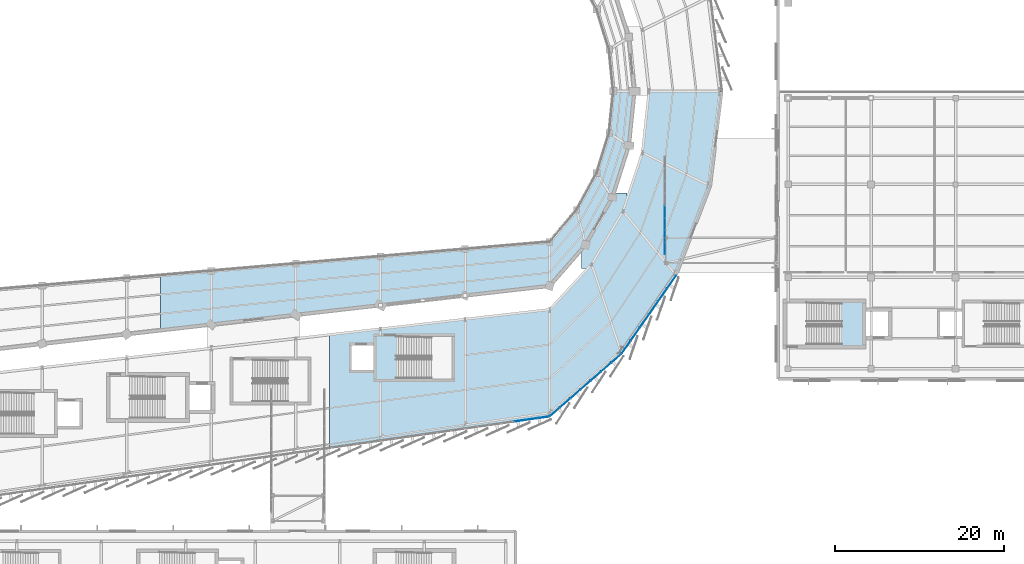
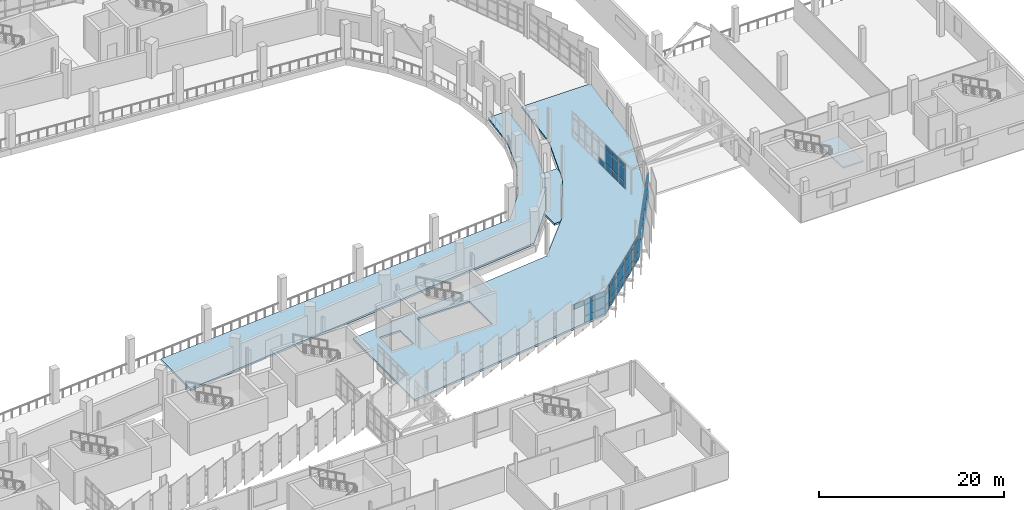
# One storey, part 93 of 125: 56 plates, 4 slabs, 5 elements without a shape of their own.
"""IFC4 building model written with IfcOpenShell, lengths in metres."""

from ifc_helpers import new_model, si_unit, direction, frame, origin, origin_2d, place, context, subcontext, project, spatial, polyline, rectangle, outline, extrude, material, layer, layer_set, type_object, element, aggregate, save


model = new_model("IFC4")

# Units and contexts
model_context = context("Model", 3, precision=1e-05, world=origin(), true_north=direction((0.0, 1.0)))
body_context = subcontext(model_context, "Body", "Model", "MODEL_VIEW")
ifc_project = project(units=[si_unit("LENGTHUNIT", "METRE"), si_unit("AREAUNIT", "SQUARE_METRE"), si_unit("VOLUMEUNIT", "CUBIC_METRE"), si_unit("PLANEANGLEUNIT", "RADIAN"), si_unit("MASSUNIT", "GRAM", prefix="KILO")], contexts=[model_context])

# Site, building, storey
site_placement = place(None, origin())
site = spatial("IfcSite", under=ifc_project, at=site_placement, CompositionType="ELEMENT")
building_placement = place(site_placement, origin())
building = spatial("IfcBuilding", under=site, at=building_placement, Name="Sohan Crest Arena", CompositionType="ELEMENT")
storey_placement = place(building_placement, frame((0.0, 0.0, 9.0)))
storey = spatial("IfcBuildingStorey", under=building, at=storey_placement, Name="L02", CompositionType="ELEMENT", Elevation=9.0)

# Curtain wall, plates
ifc_material_1 = material(Name="Thermally broken anodised aluminium", Category="aluminium")
ifc_layer_1 = layer(ifc_material_1, 0.219970703125, Name="Thermally broken anodised aluminium")
ifc_layer_set_1 = layer_set([ifc_layer_1], Name="Thermally broken anodised aluminium")
curtain_wall_type_1 = type_object("IfcCurtainWallType", Name="ARC-CW03", PredefinedType="NOTDEFINED", material=ifc_layer_set_1)
curtain_wall_1_placement = place(storey_placement, origin())
curtain_wall_1 = element("IfcCurtainWall", 1, at=curtain_wall_1_placement, inside=storey, type_object=curtain_wall_type_1, Name="Unitised curtain wall CW-068", PredefinedType="NOTDEFINED")
ifc_material_2 = material(Name="Low-E double-glazed insulated glass", Category="glass")
ifc_layer_2 = layer(ifc_material_2, 0.028076171875, Name="Low-E double-glazed insulated glass")
ifc_layer_set_2 = layer_set([ifc_layer_2], Name="Low-E double-glazed insulated glass")
plate_type_1 = type_object("IfcPlateType", Name="ARC-CNP01", PredefinedType="CURTAIN_PANEL", material=ifc_layer_set_2)
plate_1_placement = place(storey_placement, frame((177.057373046875, 47.76123046875, 0.070068359375), z_axis=(0.0, 0.0, 1.0), x_axis=(0.572428059971, 0.819954947639, 0.0)))
plate_1 = element("IfcPlate", 2, at=plate_1_placement, type_object=plate_type_1, Name="CW-068 panel 1.1", PredefinedType="CURTAIN_PANEL", context=body_context, shape_type="SweptSolid", body=[
    extrude(rectangle(XDim=1.792724609375, YDim=0.028076171875, at=origin_2d()), origin(), (0.0, 0.0, 1.0), 0.794921875),
])
plate_2_placement = place(storey_placement, frame((177.057373046875, 47.76123046875, 0.93505859375), z_axis=(0.0, 0.0, 1.0), x_axis=(0.572428059971, 0.819954947639, 0.0)))
plate_2 = element("IfcPlate", 3, at=plate_2_placement, type_object=plate_type_1, Name="CW-068 panel 1.2", PredefinedType="CURTAIN_PANEL", context=body_context, shape_type="SweptSolid", body=[
    extrude(rectangle(XDim=1.792724609375, YDim=0.028076171875, at=origin_2d()), origin(), (0.0, 0.0, 1.0), 1.449951171875),
])
plate_3_placement = place(storey_placement, frame((177.057373046875, 47.76123046875, 2.455078125), z_axis=(0.0, 0.0, 1.0), x_axis=(0.572428059971, 0.819954947639, 0.0)))
plate_3 = element("IfcPlate", 4, at=plate_3_placement, type_object=plate_type_1, Name="CW-068 panel 1.3", PredefinedType="CURTAIN_PANEL", context=body_context, shape_type="SweptSolid", body=[
    extrude(rectangle(XDim=1.792724609375, YDim=0.028076171875, at=origin_2d()), origin(), (0.0, 0.0, 1.0), 0.594970703125),
])
plate_4_placement = place(storey_placement, frame((178.12646484375, 49.29248046875, 0.070068359375), z_axis=(0.0, 0.0, 1.0), x_axis=(0.572428059971, 0.819954947639, 0.0)))
plate_4 = element("IfcPlate", 5, at=plate_4_placement, type_object=plate_type_1, Name="CW-068 panel 2.1", PredefinedType="CURTAIN_PANEL", context=body_context, shape_type="SweptSolid", body=[
    extrude(rectangle(XDim=1.822509765625, YDim=0.028076171875, at=origin_2d()), origin(), (0.0, 0.0, 1.0), 0.794921875),
])
plate_5_placement = place(storey_placement, frame((178.12646484375, 49.29248046875, 0.93505859375), z_axis=(0.0, 0.0, 1.0), x_axis=(0.572428059971, 0.819954947639, 0.0)))
plate_5 = element("IfcPlate", 6, at=plate_5_placement, type_object=plate_type_1, Name="CW-068 panel 2.2", PredefinedType="CURTAIN_PANEL", context=body_context, shape_type="SweptSolid", body=[
    extrude(rectangle(XDim=1.822509765625, YDim=0.028076171875, at=origin_2d()), origin(), (0.0, 0.0, 1.0), 1.449951171875),
])
plate_6_placement = place(storey_placement, frame((178.12646484375, 49.29248046875, 2.455078125), z_axis=(0.0, 0.0, 1.0), x_axis=(0.572428059971, 0.819954947639, 0.0)))
plate_6 = element("IfcPlate", 7, at=plate_6_placement, type_object=plate_type_1, Name="CW-068 panel 2.3", PredefinedType="CURTAIN_PANEL", context=body_context, shape_type="SweptSolid", body=[
    extrude(rectangle(XDim=1.822509765625, YDim=0.028076171875, at=origin_2d()), origin(), (0.0, 0.0, 1.0), 0.594970703125),
])
plate_7_placement = place(storey_placement, frame((179.2041015625, 50.836181640625, 0.070068359375), z_axis=(0.0, 0.0, 1.0), x_axis=(0.572428059971, 0.819954947639, 0.0)))
plate_7 = element("IfcPlate", 8, at=plate_7_placement, type_object=plate_type_1, Name="CW-068 panel 3.1", PredefinedType="CURTAIN_PANEL", context=body_context, shape_type="SweptSolid", body=[
    extrude(rectangle(XDim=1.822509765625, YDim=0.028076171875, at=origin_2d()), origin(), (0.0, 0.0, 1.0), 0.794921875),
])
plate_8_placement = place(storey_placement, frame((179.2041015625, 50.836181640625, 0.93505859375), z_axis=(0.0, 0.0, 1.0), x_axis=(0.572428059971, 0.819954947639, 0.0)))
plate_8 = element("IfcPlate", 9, at=plate_8_placement, type_object=plate_type_1, Name="CW-068 panel 3.2", PredefinedType="CURTAIN_PANEL", context=body_context, shape_type="SweptSolid", body=[
    extrude(rectangle(XDim=1.822509765625, YDim=0.028076171875, at=origin_2d()), origin(), (0.0, 0.0, 1.0), 1.449951171875),
])
plate_9_placement = place(storey_placement, frame((179.2041015625, 50.836181640625, 2.455078125), z_axis=(0.0, 0.0, 1.0), x_axis=(0.572428059971, 0.819954947639, 0.0)))
plate_9 = element("IfcPlate", 10, at=plate_9_placement, type_object=plate_type_1, Name="CW-068 panel 3.3", PredefinedType="CURTAIN_PANEL", context=body_context, shape_type="SweptSolid", body=[
    extrude(rectangle(XDim=1.822509765625, YDim=0.028076171875, at=origin_2d()), origin(), (0.0, 0.0, 1.0), 0.594970703125),
])
plate_10_placement = place(storey_placement, frame((180.28173828125, 52.3798828125, 0.070068359375), z_axis=(0.0, 0.0, 1.0), x_axis=(0.572428059971, 0.819954947639, 0.0)))
plate_10 = element("IfcPlate", 11, at=plate_10_placement, type_object=plate_type_1, Name="CW-068 panel 4.1", PredefinedType="CURTAIN_PANEL", context=body_context, shape_type="SweptSolid", body=[
    extrude(rectangle(XDim=1.822509765625, YDim=0.028076171875, at=origin_2d()), origin(), (0.0, 0.0, 1.0), 0.794921875),
])
plate_11_placement = place(storey_placement, frame((180.28173828125, 52.3798828125, 0.93505859375), z_axis=(0.0, 0.0, 1.0), x_axis=(0.572428059971, 0.819954947639, 0.0)))
plate_11 = element("IfcPlate", 12, at=plate_11_placement, type_object=plate_type_1, Name="CW-068 panel 4.2", PredefinedType="CURTAIN_PANEL", context=body_context, shape_type="SweptSolid", body=[
    extrude(rectangle(XDim=1.822509765625, YDim=0.028076171875, at=origin_2d()), origin(), (0.0, 0.0, 1.0), 1.449951171875),
])
plate_12_placement = place(storey_placement, frame((180.28173828125, 52.3798828125, 2.455078125), z_axis=(0.0, 0.0, 1.0), x_axis=(0.572428059971, 0.819954947639, 0.0)))
plate_12 = element("IfcPlate", 13, at=plate_12_placement, type_object=plate_type_1, Name="CW-068 panel 4.3", PredefinedType="CURTAIN_PANEL", context=body_context, shape_type="SweptSolid", body=[
    extrude(rectangle(XDim=1.822509765625, YDim=0.028076171875, at=origin_2d()), origin(), (0.0, 0.0, 1.0), 0.594970703125),
])
plate_13_placement = place(storey_placement, frame((181.359619140625, 53.923583984375, 0.070068359375), z_axis=(0.0, 0.0, 1.0), x_axis=(0.572428059971, 0.819954947639, 0.0)))
plate_13 = element("IfcPlate", 14, at=plate_13_placement, type_object=plate_type_1, Name="CW-068 panel 5.1", PredefinedType="CURTAIN_PANEL", context=body_context, shape_type="SweptSolid", body=[
    extrude(rectangle(XDim=1.822509765625, YDim=0.028076171875, at=origin_2d()), origin(), (0.0, 0.0, 1.0), 0.794921875),
])
plate_14_placement = place(storey_placement, frame((181.359619140625, 53.923583984375, 0.93505859375), z_axis=(0.0, 0.0, 1.0), x_axis=(0.572428059971, 0.819954947639, 0.0)))
plate_14 = element("IfcPlate", 15, at=plate_14_placement, type_object=plate_type_1, Name="CW-068 panel 5.2", PredefinedType="CURTAIN_PANEL", context=body_context, shape_type="SweptSolid", body=[
    extrude(rectangle(XDim=1.822509765625, YDim=0.028076171875, at=origin_2d()), origin(), (0.0, 0.0, 1.0), 1.449951171875),
])
plate_15_placement = place(storey_placement, frame((181.359619140625, 53.923583984375, 2.455078125), z_axis=(0.0, 0.0, 1.0), x_axis=(0.572428059971, 0.819954947639, 0.0)))
plate_15 = element("IfcPlate", 16, at=plate_15_placement, type_object=plate_type_1, Name="CW-068 panel 5.3", PredefinedType="CURTAIN_PANEL", context=body_context, shape_type="SweptSolid", body=[
    extrude(rectangle(XDim=1.822509765625, YDim=0.028076171875, at=origin_2d()), origin(), (0.0, 0.0, 1.0), 0.594970703125),
])
plate_16_placement = place(storey_placement, frame((182.428466796875, 55.454833984375, 0.070068359375), z_axis=(0.0, 0.0, 1.0), x_axis=(0.572428059971, 0.819954947639, 0.0)))
plate_16 = element("IfcPlate", 17, at=plate_16_placement, type_object=plate_type_1, Name="CW-068 panel 6.1", PredefinedType="CURTAIN_PANEL", context=body_context, shape_type="SweptSolid", body=[
    extrude(rectangle(XDim=1.792724609375, YDim=0.028076171875, at=origin_2d()), origin(), (0.0, 0.0, 1.0), 0.794921875),
])
plate_17_placement = place(storey_placement, frame((182.428466796875, 55.454833984375, 0.93505859375), z_axis=(0.0, 0.0, 1.0), x_axis=(0.572428059971, 0.819954947639, 0.0)))
plate_17 = element("IfcPlate", 18, at=plate_17_placement, type_object=plate_type_1, Name="CW-068 panel 6.2", PredefinedType="CURTAIN_PANEL", context=body_context, shape_type="SweptSolid", body=[
    extrude(rectangle(XDim=1.792724609375, YDim=0.028076171875, at=origin_2d()), origin(), (0.0, 0.0, 1.0), 1.449951171875),
])
plate_18_placement = place(storey_placement, frame((182.428466796875, 55.454833984375, 2.455078125), z_axis=(0.0, 0.0, 1.0), x_axis=(0.572428059971, 0.819954947639, 0.0)))
plate_18 = element("IfcPlate", 19, at=plate_18_placement, type_object=plate_type_1, Name="CW-068 panel 6.3", PredefinedType="CURTAIN_PANEL", context=body_context, shape_type="SweptSolid", body=[
    extrude(rectangle(XDim=1.792724609375, YDim=0.028076171875, at=origin_2d()), origin(), (0.0, 0.0, 1.0), 0.594970703125),
])
aggregate(curtain_wall_1, [plate_1, plate_2, plate_3, plate_4, plate_5, plate_6, plate_7, plate_8, plate_9, plate_10, plate_11, plate_12, plate_13, plate_14, plate_15, plate_16, plate_17, plate_18])

ifc_layer_3 = layer(ifc_material_1, 0.18994140625, Name="Thermally broken anodised aluminium")
ifc_layer_set_3 = layer_set([ifc_layer_3], Name="Thermally broken anodised aluminium")
curtain_wall_type_2 = type_object("IfcCurtainWallType", Name="ARC-CW05", PredefinedType="NOTDEFINED", material=ifc_layer_set_3)
curtain_wall_2_placement = place(storey_placement, origin())
curtain_wall_2 = element("IfcCurtainWall", 20, at=curtain_wall_2_placement, inside=storey, type_object=curtain_wall_type_2, Name="Unitised curtain wall CW-243", PredefinedType="NOTDEFINED")
plate_19_placement = place(storey_placement, frame((181.6201171875, 59.441162109375, 0.06005859375), z_axis=(0.0, 0.0, 1.0), x_axis=(0.0, 1.0, 0.0)))
plate_19 = element("IfcPlate", 21, at=plate_19_placement, type_object=plate_type_1, Name="CW-243 panel 1.1", PredefinedType="CURTAIN_PANEL", context=body_context, shape_type="SweptSolid", body=[
    extrude(rectangle(XDim=1.3525390625, YDim=0.028076171875, at=origin_2d()), origin(), (0.0, 0.0, 1.0), 0.81005859375),
])
plate_20_placement = place(storey_placement, frame((181.6201171875, 59.441162109375, 0.93017578125), z_axis=(0.0, 0.0, 1.0), x_axis=(0.0, 1.0, 0.0)))
plate_20 = element("IfcPlate", 22, at=plate_20_placement, type_object=plate_type_1, Name="CW-243 panel 1.2", PredefinedType="CURTAIN_PANEL", context=body_context, shape_type="SweptSolid", body=[
    extrude(rectangle(XDim=1.3525390625, YDim=0.028076171875, at=origin_2d()), origin(), (0.0, 0.0, 1.0), 1.739990234375),
])
plate_21_placement = place(storey_placement, frame((181.6201171875, 59.441162109375, 2.72998046875), z_axis=(0.0, 0.0, 1.0), x_axis=(0.0, 1.0, 0.0)))
plate_21 = element("IfcPlate", 23, at=plate_21_placement, type_object=plate_type_1, Name="CW-243 panel 1.3", PredefinedType="CURTAIN_PANEL", context=body_context, shape_type="SweptSolid", body=[
    extrude(rectangle(XDim=1.3525390625, YDim=0.028076171875, at=origin_2d()), origin(), (0.0, 0.0, 1.0), 0.610107421875),
])
plate_22_placement = place(storey_placement, frame((181.6201171875, 60.875, 0.06005859375), z_axis=(0.0, 0.0, 1.0), x_axis=(0.0, 1.0, 0.0)))
plate_22 = element("IfcPlate", 24, at=plate_22_placement, type_object=plate_type_1, Name="CW-243 panel 2.1", PredefinedType="CURTAIN_PANEL", context=body_context, shape_type="SweptSolid", body=[
    extrude(rectangle(XDim=1.385009765625, YDim=0.028076171875, at=origin_2d()), origin(), (0.0, 0.0, 1.0), 0.81005859375),
])
plate_23_placement = place(storey_placement, frame((181.6201171875, 60.875, 0.93017578125), z_axis=(0.0, 0.0, 1.0), x_axis=(0.0, 1.0, 0.0)))
plate_23 = element("IfcPlate", 25, at=plate_23_placement, type_object=plate_type_1, Name="CW-243 panel 2.2", PredefinedType="CURTAIN_PANEL", context=body_context, shape_type="SweptSolid", body=[
    extrude(rectangle(XDim=1.385009765625, YDim=0.028076171875, at=origin_2d()), origin(), (0.0, 0.0, 1.0), 1.739990234375),
])
plate_24_placement = place(storey_placement, frame((181.6201171875, 60.875, 2.72998046875), z_axis=(0.0, 0.0, 1.0), x_axis=(0.0, 1.0, 0.0)))
plate_24 = element("IfcPlate", 26, at=plate_24_placement, type_object=plate_type_1, Name="CW-243 panel 2.3", PredefinedType="CURTAIN_PANEL", context=body_context, shape_type="SweptSolid", body=[
    extrude(rectangle(XDim=1.385009765625, YDim=0.028076171875, at=origin_2d()), origin(), (0.0, 0.0, 1.0), 0.610107421875),
])
plate_25_placement = place(storey_placement, frame((181.6201171875, 62.324951171875, 0.06005859375), z_axis=(0.0, 0.0, 1.0), x_axis=(0.0, 1.0, 0.0)))
plate_25 = element("IfcPlate", 27, at=plate_25_placement, type_object=plate_type_1, Name="CW-243 panel 3.1", PredefinedType="CURTAIN_PANEL", context=body_context, shape_type="SweptSolid", body=[
    extrude(rectangle(XDim=1.385009765625, YDim=0.028076171875, at=origin_2d()), origin(), (0.0, 0.0, 1.0), 0.81005859375),
])
plate_26_placement = place(storey_placement, frame((181.6201171875, 62.324951171875, 0.93017578125), z_axis=(0.0, 0.0, 1.0), x_axis=(0.0, 1.0, 0.0)))
plate_26 = element("IfcPlate", 28, at=plate_26_placement, type_object=plate_type_1, Name="CW-243 panel 3.2", PredefinedType="CURTAIN_PANEL", context=body_context, shape_type="SweptSolid", body=[
    extrude(rectangle(XDim=1.385009765625, YDim=0.028076171875, at=origin_2d()), origin(), (0.0, 0.0, 1.0), 1.739990234375),
])
plate_27_placement = place(storey_placement, frame((181.6201171875, 62.324951171875, 2.72998046875), z_axis=(0.0, 0.0, 1.0), x_axis=(0.0, 1.0, 0.0)))
plate_27 = element("IfcPlate", 29, at=plate_27_placement, type_object=plate_type_1, Name="CW-243 panel 3.3", PredefinedType="CURTAIN_PANEL", context=body_context, shape_type="SweptSolid", body=[
    extrude(rectangle(XDim=1.385009765625, YDim=0.028076171875, at=origin_2d()), origin(), (0.0, 0.0, 1.0), 0.610107421875),
])
plate_28_placement = place(storey_placement, frame((181.6201171875, 63.77490234375, 0.06005859375), z_axis=(0.0, 0.0, 1.0), x_axis=(0.0, 1.0, 0.0)))
plate_28 = element("IfcPlate", 30, at=plate_28_placement, type_object=plate_type_1, Name="CW-243 panel 4.1", PredefinedType="CURTAIN_PANEL", context=body_context, shape_type="SweptSolid", body=[
    extrude(rectangle(XDim=1.385009765625, YDim=0.028076171875, at=origin_2d()), origin(), (0.0, 0.0, 1.0), 0.81005859375),
])
aggregate(curtain_wall_2, [plate_19, plate_20, plate_21, plate_22, plate_23, plate_24, plate_25, plate_26, plate_27, plate_28])

ifc_layer_4 = layer(ifc_material_1, 0.179931640625, Name="Thermally broken anodised aluminium")
ifc_layer_set_4 = layer_set([ifc_layer_4], Name="Thermally broken anodised aluminium")
curtain_wall_type_3 = type_object("IfcCurtainWallType", Name="ARC-CW01", PredefinedType="NOTDEFINED", material=ifc_layer_set_4)
curtain_wall_3_placement = place(storey_placement, origin())
curtain_wall_3 = element("IfcCurtainWall", 31, at=curtain_wall_3_placement, inside=storey, type_object=curtain_wall_type_3, Name="Unitised curtain wall CW-066", PredefinedType="NOTDEFINED")
ifc_material_3 = material(Name="Ceramic-fritted solar-control insulated glass", Category="glass")
ifc_layer_5 = layer(ifc_material_3, 0.035888671875, Name="Ceramic-fritted solar-control insulated glass")
ifc_layer_set_5 = layer_set([ifc_layer_5], Name="Ceramic-fritted solar-control insulated glass")
plate_type_2 = type_object("IfcPlateType", Name="ARC-CNP03", PredefinedType="CURTAIN_PANEL", material=ifc_layer_set_5)
plate_29_placement = place(storey_placement, frame((164.428466796875, 39.03955078125, 2.44970703125), z_axis=(0.0, 0.0, 1.0), x_axis=(0.989943553128, 0.141462933734, 0.0)))
plate_29 = element("IfcPlate", 32, at=plate_29_placement, type_object=plate_type_2, Name="CW-066 panel 5.3", PredefinedType="CURTAIN_PANEL", context=body_context, shape_type="SweptSolid", body=[
    extrude(rectangle(XDim=1.373046875, YDim=0.035888671875, at=origin_2d()), origin(), (0.0, 0.0, 1.0), 0.610107421875),
])
plate_30_placement = place(storey_placement, frame((165.857177734375, 39.243896484375, 0.06005859375), z_axis=(0.0, 0.0, 1.0), x_axis=(0.989943553128, 0.141462933734, 0.0)))
plate_30 = element("IfcPlate", 33, at=plate_30_placement, type_object=plate_type_2, Name="CW-066 panel 6.1", PredefinedType="CURTAIN_PANEL", context=body_context, shape_type="SweptSolid", body=[
    extrude(rectangle(XDim=1.373046875, YDim=0.035888671875, at=origin_2d()), origin(), (0.0, 0.0, 1.0), 0.81005859375),
])
plate_31_placement = place(storey_placement, frame((165.857177734375, 39.243896484375, 0.929931640625), z_axis=(0.0, 0.0, 1.0), x_axis=(0.989943553128, 0.141462933734, 0.0)))
plate_31 = element("IfcPlate", 34, at=plate_31_placement, type_object=plate_type_2, Name="CW-066 panel 6.2", PredefinedType="CURTAIN_PANEL", context=body_context, shape_type="SweptSolid", body=[
    extrude(rectangle(XDim=1.373046875, YDim=0.035888671875, at=origin_2d()), origin(), (0.0, 0.0, 1.0), 1.4599609375),
])
plate_32_placement = place(storey_placement, frame((165.857177734375, 39.243896484375, 2.44970703125), z_axis=(0.0, 0.0, 1.0), x_axis=(0.989943553128, 0.141462933734, 0.0)))
plate_32 = element("IfcPlate", 35, at=plate_32_placement, type_object=plate_type_2, Name="CW-066 panel 6.3", PredefinedType="CURTAIN_PANEL", context=body_context, shape_type="SweptSolid", body=[
    extrude(rectangle(XDim=1.373046875, YDim=0.035888671875, at=origin_2d()), origin(), (0.0, 0.0, 1.0), 0.610107421875),
])
plate_33_placement = place(storey_placement, frame((167.268310546875, 39.445556640625, 0.06005859375), z_axis=(0.0, 0.0, 1.0), x_axis=(0.989943553128, 0.141462933734, 0.0)))
plate_33 = element("IfcPlate", 36, at=plate_33_placement, type_object=plate_type_2, Name="CW-066 panel 7.1", PredefinedType="CURTAIN_PANEL", context=body_context, shape_type="SweptSolid", body=[
    extrude(rectangle(XDim=1.338134765625, YDim=0.035888671875, at=origin_2d()), origin(), (0.0, 0.0, 1.0), 0.81005859375),
])
plate_34_placement = place(storey_placement, frame((167.268310546875, 39.445556640625, 0.929931640625), z_axis=(0.0, 0.0, 1.0), x_axis=(0.989943553128, 0.141462933734, 0.0)))
plate_34 = element("IfcPlate", 37, at=plate_34_placement, type_object=plate_type_2, Name="CW-066 panel 7.2", PredefinedType="CURTAIN_PANEL", context=body_context, shape_type="SweptSolid", body=[
    extrude(rectangle(XDim=1.338134765625, YDim=0.035888671875, at=origin_2d()), origin(), (0.0, 0.0, 1.0), 1.4599609375),
])
plate_35_placement = place(storey_placement, frame((167.268310546875, 39.445556640625, 2.44970703125), z_axis=(0.0, 0.0, 1.0), x_axis=(0.989943553128, 0.141462933734, 0.0)))
plate_35 = element("IfcPlate", 38, at=plate_35_placement, type_object=plate_type_2, Name="CW-066 panel 7.3", PredefinedType="CURTAIN_PANEL", context=body_context, shape_type="SweptSolid", body=[
    extrude(rectangle(XDim=1.338134765625, YDim=0.035888671875, at=origin_2d()), origin(), (0.0, 0.0, 1.0), 0.610107421875),
])
aggregate(curtain_wall_3, [plate_29, plate_30, plate_31, plate_32, plate_33, plate_34, plate_35])

ifc_layer_6 = layer(ifc_material_1, 0.199951171875, Name="Thermally broken anodised aluminium")
ifc_layer_set_6 = layer_set([ifc_layer_6], Name="Thermally broken anodised aluminium")
curtain_wall_type_4 = type_object("IfcCurtainWallType", Name="ARC-CW02", PredefinedType="NOTDEFINED", material=ifc_layer_set_6)
curtain_wall_4_placement = place(storey_placement, origin())
curtain_wall_4 = element("IfcCurtainWall", 39, at=curtain_wall_4_placement, inside=storey, type_object=curtain_wall_type_4, Name="Unitised curtain wall CW-067", PredefinedType="NOTDEFINED")
ifc_material_4 = material(Name="Insulated polychrome ceramic spandrel panel", Category="masonry")
ifc_layer_7 = layer(ifc_material_4, 0.0419921875, Name="Insulated polychrome ceramic spandrel panel")
ifc_layer_set_7 = layer_set([ifc_layer_7], Name="Insulated polychrome ceramic spandrel panel")
plate_type_3 = type_object("IfcPlateType", Name="ARC-CNP04", PredefinedType="CURTAIN_PANEL", material=ifc_layer_set_7)
plate_36_placement = place(storey_placement, frame((168.6220703125, 40.0927734375, 0.06494140625), z_axis=(0.0, 0.0, 1.0), x_axis=(0.753420670265, 0.657538815294, 0.0)))
plate_36 = element("IfcPlate", 40, at=plate_36_placement, type_object=plate_type_3, Name="CW-067 panel 1.1", PredefinedType="CURTAIN_PANEL", context=body_context, shape_type="SweptSolid", body=[
    extrude(rectangle(XDim=1.5009765625, YDim=0.0419921875, at=origin_2d()), origin(), (0.0, 0.0, 1.0), 0.802490234375),
])
plate_37_placement = place(storey_placement, frame((168.6220703125, 40.0927734375, 0.932373046875), z_axis=(0.0, 0.0, 1.0), x_axis=(0.753420670265, 0.657538815294, 0.0)))
plate_37 = element("IfcPlate", 41, at=plate_37_placement, type_object=plate_type_3, Name="CW-067 panel 1.2", PredefinedType="CURTAIN_PANEL", context=body_context, shape_type="SweptSolid", body=[
    extrude(rectangle(XDim=1.5009765625, YDim=0.0419921875, at=origin_2d()), origin(), (0.0, 0.0, 1.0), 1.455078125),
])
plate_38_placement = place(storey_placement, frame((168.6220703125, 40.0927734375, 2.452392578125), z_axis=(0.0, 0.0, 1.0), x_axis=(0.753420670265, 0.657538815294, 0.0)))
plate_38 = element("IfcPlate", 42, at=plate_38_placement, type_object=plate_type_3, Name="CW-067 panel 1.3", PredefinedType="CURTAIN_PANEL", context=body_context, shape_type="SweptSolid", body=[
    extrude(rectangle(XDim=1.5009765625, YDim=0.0419921875, at=origin_2d()), origin(), (0.0, 0.0, 1.0), 0.6025390625),
])
plate_39_placement = place(storey_placement, frame((169.823486328125, 41.1416015625, 0.06494140625), z_axis=(0.0, 0.0, 1.0), x_axis=(0.753420670265, 0.657538815294, 0.0)))
plate_39 = element("IfcPlate", 43, at=plate_39_placement, type_object=plate_type_3, Name="CW-067 panel 2.1", PredefinedType="CURTAIN_PANEL", context=body_context, shape_type="SweptSolid", body=[
    extrude(rectangle(XDim=1.53857421875, YDim=0.0419921875, at=origin_2d()), origin(), (0.0, 0.0, 1.0), 0.802490234375),
])
plate_40_placement = place(storey_placement, frame((169.823486328125, 41.1416015625, 0.932373046875), z_axis=(0.0, 0.0, 1.0), x_axis=(0.753420670265, 0.657538815294, 0.0)))
plate_40 = element("IfcPlate", 44, at=plate_40_placement, type_object=plate_type_3, Name="CW-067 panel 2.2", PredefinedType="CURTAIN_PANEL", context=body_context, shape_type="SweptSolid", body=[
    extrude(rectangle(XDim=1.53857421875, YDim=0.0419921875, at=origin_2d()), origin(), (0.0, 0.0, 1.0), 1.455078125),
])
plate_41_placement = place(storey_placement, frame((169.823486328125, 41.1416015625, 2.452392578125), z_axis=(0.0, 0.0, 1.0), x_axis=(0.753420670265, 0.657538815294, 0.0)))
plate_41 = element("IfcPlate", 45, at=plate_41_placement, type_object=plate_type_3, Name="CW-067 panel 2.3", PredefinedType="CURTAIN_PANEL", context=body_context, shape_type="SweptSolid", body=[
    extrude(rectangle(XDim=1.53857421875, YDim=0.0419921875, at=origin_2d()), origin(), (0.0, 0.0, 1.0), 0.6025390625),
])
plate_42_placement = place(storey_placement, frame((171.039306640625, 42.202392578125, 0.06494140625), z_axis=(0.0, 0.0, 1.0), x_axis=(0.753420670265, 0.657538815294, 0.0)))
plate_42 = element("IfcPlate", 46, at=plate_42_placement, type_object=plate_type_3, Name="CW-067 panel 3.1", PredefinedType="CURTAIN_PANEL", context=body_context, shape_type="SweptSolid", body=[
    extrude(rectangle(XDim=1.53857421875, YDim=0.0419921875, at=origin_2d()), origin(), (0.0, 0.0, 1.0), 0.802490234375),
])
plate_43_placement = place(storey_placement, frame((171.039306640625, 42.202392578125, 0.932373046875), z_axis=(0.0, 0.0, 1.0), x_axis=(0.753420670265, 0.657538815294, 0.0)))
plate_43 = element("IfcPlate", 47, at=plate_43_placement, type_object=plate_type_3, Name="CW-067 panel 3.2", PredefinedType="CURTAIN_PANEL", context=body_context, shape_type="SweptSolid", body=[
    extrude(rectangle(XDim=1.53857421875, YDim=0.0419921875, at=origin_2d()), origin(), (0.0, 0.0, 1.0), 1.455078125),
])
plate_44_placement = place(storey_placement, frame((171.039306640625, 42.202392578125, 2.452392578125), z_axis=(0.0, 0.0, 1.0), x_axis=(0.753420670265, 0.657538815294, 0.0)))
plate_44 = element("IfcPlate", 48, at=plate_44_placement, type_object=plate_type_3, Name="CW-067 panel 3.3", PredefinedType="CURTAIN_PANEL", context=body_context, shape_type="SweptSolid", body=[
    extrude(rectangle(XDim=1.53857421875, YDim=0.0419921875, at=origin_2d()), origin(), (0.0, 0.0, 1.0), 0.6025390625),
])
plate_45_placement = place(storey_placement, frame((172.2548828125, 43.263427734375, 0.06494140625), z_axis=(0.0, 0.0, 1.0), x_axis=(0.753420670265, 0.657538815294, 0.0)))
plate_45 = element("IfcPlate", 49, at=plate_45_placement, type_object=plate_type_3, Name="CW-067 panel 4.1", PredefinedType="CURTAIN_PANEL", context=body_context, shape_type="SweptSolid", body=[
    extrude(rectangle(XDim=1.53857421875, YDim=0.0419921875, at=origin_2d()), origin(), (0.0, 0.0, 1.0), 0.802490234375),
])
plate_46_placement = place(storey_placement, frame((172.2548828125, 43.263427734375, 0.932373046875), z_axis=(0.0, 0.0, 1.0), x_axis=(0.753420670265, 0.657538815294, 0.0)))
plate_46 = element("IfcPlate", 50, at=plate_46_placement, type_object=plate_type_3, Name="CW-067 panel 4.2", PredefinedType="CURTAIN_PANEL", context=body_context, shape_type="SweptSolid", body=[
    extrude(rectangle(XDim=1.53857421875, YDim=0.0419921875, at=origin_2d()), origin(), (0.0, 0.0, 1.0), 1.455078125),
])
plate_47_placement = place(storey_placement, frame((172.2548828125, 43.263427734375, 2.452392578125), z_axis=(0.0, 0.0, 1.0), x_axis=(0.753420670265, 0.657538815294, 0.0)))
plate_47 = element("IfcPlate", 51, at=plate_47_placement, type_object=plate_type_3, Name="CW-067 panel 4.3", PredefinedType="CURTAIN_PANEL", context=body_context, shape_type="SweptSolid", body=[
    extrude(rectangle(XDim=1.53857421875, YDim=0.0419921875, at=origin_2d()), origin(), (0.0, 0.0, 1.0), 0.6025390625),
])
plate_48_placement = place(storey_placement, frame((173.470703125, 44.324462890625, 0.06494140625), z_axis=(0.0, 0.0, 1.0), x_axis=(0.753420670265, 0.657538815294, 0.0)))
plate_48 = element("IfcPlate", 52, at=plate_48_placement, type_object=plate_type_3, Name="CW-067 panel 5.1", PredefinedType="CURTAIN_PANEL", context=body_context, shape_type="SweptSolid", body=[
    extrude(rectangle(XDim=1.53857421875, YDim=0.0419921875, at=origin_2d()), origin(), (0.0, 0.0, 1.0), 0.802490234375),
])
plate_49_placement = place(storey_placement, frame((173.470703125, 44.324462890625, 0.932373046875), z_axis=(0.0, 0.0, 1.0), x_axis=(0.753420670265, 0.657538815294, 0.0)))
plate_49 = element("IfcPlate", 53, at=plate_49_placement, type_object=plate_type_3, Name="CW-067 panel 5.2", PredefinedType="CURTAIN_PANEL", context=body_context, shape_type="SweptSolid", body=[
    extrude(rectangle(XDim=1.53857421875, YDim=0.0419921875, at=origin_2d()), origin(), (0.0, 0.0, 1.0), 1.455078125),
])
plate_50_placement = place(storey_placement, frame((173.470703125, 44.324462890625, 2.452392578125), z_axis=(0.0, 0.0, 1.0), x_axis=(0.753420670265, 0.657538815294, 0.0)))
plate_50 = element("IfcPlate", 54, at=plate_50_placement, type_object=plate_type_3, Name="CW-067 panel 5.3", PredefinedType="CURTAIN_PANEL", context=body_context, shape_type="SweptSolid", body=[
    extrude(rectangle(XDim=1.53857421875, YDim=0.0419921875, at=origin_2d()), origin(), (0.0, 0.0, 1.0), 0.6025390625),
])
plate_51_placement = place(storey_placement, frame((174.6865234375, 45.385498046875, 0.06494140625), z_axis=(0.0, 0.0, 1.0), x_axis=(0.753420670265, 0.657538815294, 0.0)))
plate_51 = element("IfcPlate", 55, at=plate_51_placement, type_object=plate_type_3, Name="CW-067 panel 6.1", PredefinedType="CURTAIN_PANEL", context=body_context, shape_type="SweptSolid", body=[
    extrude(rectangle(XDim=1.53857421875, YDim=0.0419921875, at=origin_2d()), origin(), (0.0, 0.0, 1.0), 0.802490234375),
])
plate_52_placement = place(storey_placement, frame((174.6865234375, 45.385498046875, 0.932373046875), z_axis=(0.0, 0.0, 1.0), x_axis=(0.753420670265, 0.657538815294, 0.0)))
plate_52 = element("IfcPlate", 56, at=plate_52_placement, type_object=plate_type_3, Name="CW-067 panel 6.2", PredefinedType="CURTAIN_PANEL", context=body_context, shape_type="SweptSolid", body=[
    extrude(rectangle(XDim=1.53857421875, YDim=0.0419921875, at=origin_2d()), origin(), (0.0, 0.0, 1.0), 1.455078125),
])
plate_53_placement = place(storey_placement, frame((174.6865234375, 45.385498046875, 2.452392578125), z_axis=(0.0, 0.0, 1.0), x_axis=(0.753420670265, 0.657538815294, 0.0)))
plate_53 = element("IfcPlate", 57, at=plate_53_placement, type_object=plate_type_3, Name="CW-067 panel 6.3", PredefinedType="CURTAIN_PANEL", context=body_context, shape_type="SweptSolid", body=[
    extrude(rectangle(XDim=1.53857421875, YDim=0.0419921875, at=origin_2d()), origin(), (0.0, 0.0, 1.0), 0.6025390625),
])
plate_54_placement = place(storey_placement, frame((175.887939453125, 46.43408203125, 0.06494140625), z_axis=(0.0, 0.0, 1.0), x_axis=(0.753420670265, 0.657538815294, 0.0)))
plate_54 = element("IfcPlate", 58, at=plate_54_placement, type_object=plate_type_3, Name="CW-067 panel 7.1", PredefinedType="CURTAIN_PANEL", context=body_context, shape_type="SweptSolid", body=[
    extrude(rectangle(XDim=1.5009765625, YDim=0.0419921875, at=origin_2d()), origin(), (0.0, 0.0, 1.0), 0.802490234375),
])
plate_55_placement = place(storey_placement, frame((175.887939453125, 46.43408203125, 0.932373046875), z_axis=(0.0, 0.0, 1.0), x_axis=(0.753420670265, 0.657538815294, 0.0)))
plate_55 = element("IfcPlate", 59, at=plate_55_placement, type_object=plate_type_3, Name="CW-067 panel 7.2", PredefinedType="CURTAIN_PANEL", context=body_context, shape_type="SweptSolid", body=[
    extrude(rectangle(XDim=1.5009765625, YDim=0.0419921875, at=origin_2d()), origin(), (0.0, 0.0, 1.0), 1.455078125),
])
plate_56_placement = place(storey_placement, frame((175.887939453125, 46.43408203125, 2.452392578125), z_axis=(0.0, 0.0, 1.0), x_axis=(0.753420670265, 0.657538815294, 0.0)))
plate_56 = element("IfcPlate", 60, at=plate_56_placement, type_object=plate_type_3, Name="CW-067 panel 7.3", PredefinedType="CURTAIN_PANEL", context=body_context, shape_type="SweptSolid", body=[
    extrude(rectangle(XDim=1.5009765625, YDim=0.0419921875, at=origin_2d()), origin(), (0.0, 0.0, 1.0), 0.6025390625),
])
aggregate(curtain_wall_4, [plate_36, plate_37, plate_38, plate_39, plate_40, plate_41, plate_42, plate_43, plate_44, plate_45, plate_46, plate_47, plate_48, plate_49, plate_50, plate_51, plate_52, plate_53, plate_54, plate_55, plate_56])

# Slabs
ifc_material_5 = material(Name="Concrete C40/50", Category="concrete")
ifc_layer_8 = layer(ifc_material_5, 0.25, Name="Concrete C40/50")
ifc_layer_set_8 = layer_set([ifc_layer_8], Name="Concrete C40/50")
slab_type_1 = type_object("IfcSlabType", Name="SL-FLR3", PredefinedType="FLOOR", material=ifc_layer_set_8)
slab_1_placement = place(storey_placement, frame((0.0, 0.0, -0.25)))
element("IfcSlab", 61, at=slab_1_placement, inside=storey, type_object=slab_type_1, Name="Bowl vomitory ring L02 Q4 SL-L02-V1Q4", PredefinedType="FLOOR", context=body_context, shape_type="SweptSolid", body=[
    extrude(outline(polyline([(177.363037109375, 71.593017578125), (175.408935546875, 65.455078125), (172.242919921875, 59.845947265625), (168.0, 55.0), (122.0, 49.742919921875), (122.0, 56.257080078125), (168.0, 60.199951171875), (171.194091796875, 63.988037109375), (173.571044921875, 68.3359375), (175.037109375, 73.070068359375), (175.531982421875, 78.0), (178.02294921875, 78.0), (177.363037109375, 71.593017578125)])), origin(), (0.0, 0.0, 1.0), 0.25),
])
slab_2_placement = place(storey_placement, frame((0.0, 0.0, -0.25)))
element("IfcSlab", 62, at=slab_2_placement, inside=storey, type_object=slab_type_1, Name="Concourse ring L02 sector 6 SL-L02-V2S6", PredefinedType="FLOOR", context=body_context, shape_type="SweptSolid", body=[
    extrude(outline(polyline([(187.014892578125, 66.7880859375), (182.97607421875, 56.239013671875), (176.510009765625, 46.97705078125), (168.0, 39.550048828125), (142.0, 35.8359375), (142.0, 49.22802734375), (168.0, 52.199951171875), (172.9609375, 57.547119140625), (176.674072265625, 63.824951171875), (178.971923828125, 70.748046875), (179.75, 78.0), (188.388916015625, 78.0), (187.014892578125, 66.7880859375)]), holes=[polyline([(156.449951171875, 49.0), (149.8701171875, 49.0), (149.8701171875, 44.0), (156.449951171875, 44.0), (156.449951171875, 49.0)]), polyline([(147.199951171875, 45.050048828125), (147.199951171875, 47.949951171875), (144.60009765625, 47.949951171875), (144.60009765625, 45.050048828125), (147.199951171875, 45.050048828125)])]), origin(), (0.0, 0.0, 1.0), 0.25),
])
slab_3_placement = place(storey_placement, frame((0.0, 0.0, -0.25)))
element("IfcSlab", 63, at=slab_3_placement, inside=storey, type_object=slab_type_1, Name="Seismic joint threshold slab L02 SL-TH-L02-20", PredefinedType="FLOOR", context=body_context, shape_type="SweptSolid", body=[
    extrude(outline(polyline([(176.674072265625, 63.824951171875), (172.9609375, 57.547119140625), (172.4970703125, 57.047119140625), (171.742919921875, 57.047119140625), (171.742919921875, 59.27490234375), (172.242919921875, 59.845947265625), (175.408935546875, 65.455078125), (175.568115234375, 65.955078125), (177.174072265625, 65.955078125), (177.174072265625, 65.3310546875), (176.674072265625, 63.824951171875)])), origin(), (0.0, 0.0, 1.0), 0.25),
])

# Stair, slab
stair_type = type_object("IfcStairType", Name="ST-450W", PredefinedType="TWO_STRAIGHT_RUN_STAIR", material=ifc_material_5)
stair_placement = place(storey_placement, origin())
stair = element("IfcStair", 64, at=stair_placement, inside=storey, type_object=stair_type, Name="Protected exit stair ST15-L02", PredefinedType="TWO_STRAIGHT_RUN_STAIR")
ifc_layer_9 = layer(ifc_material_5, 0.199951171875, Name="Concrete C40/50")
ifc_layer_set_9 = layer_set([ifc_layer_9], Name="Concrete C40/50")
slab_type_2 = type_object("IfcSlabType", Name="SL-LND1", PredefinedType="LANDING", material=ifc_layer_set_9)
slab_4_placement = place(storey_placement, frame((0.0, 0.0, 2.050048828125)))
slab_4 = element("IfcSlab", 65, at=slab_4_placement, type_object=slab_type_2, Name="ST15-L02 landing 1", PredefinedType="LANDING", context=body_context, shape_type="SweptSolid", body=[
    extrude(outline(polyline([(202.530029296875, 47.85009765625), (205.10009765625, 47.85009765625), (205.10009765625, 53.14990234375), (202.530029296875, 53.14990234375), (202.530029296875, 47.85009765625)])), origin(), (0.0, 0.0, 1.0), 0.199951171875),
])
aggregate(stair, [slab_4])

save(model, "model.ifc")
